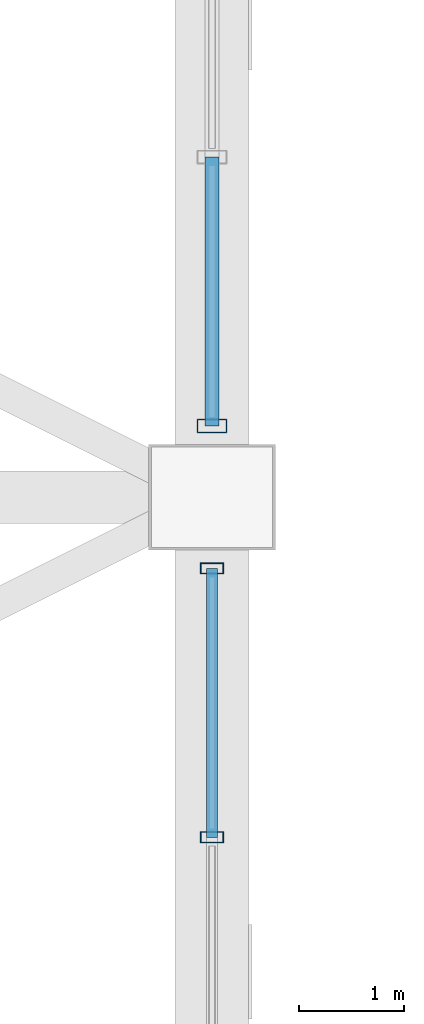
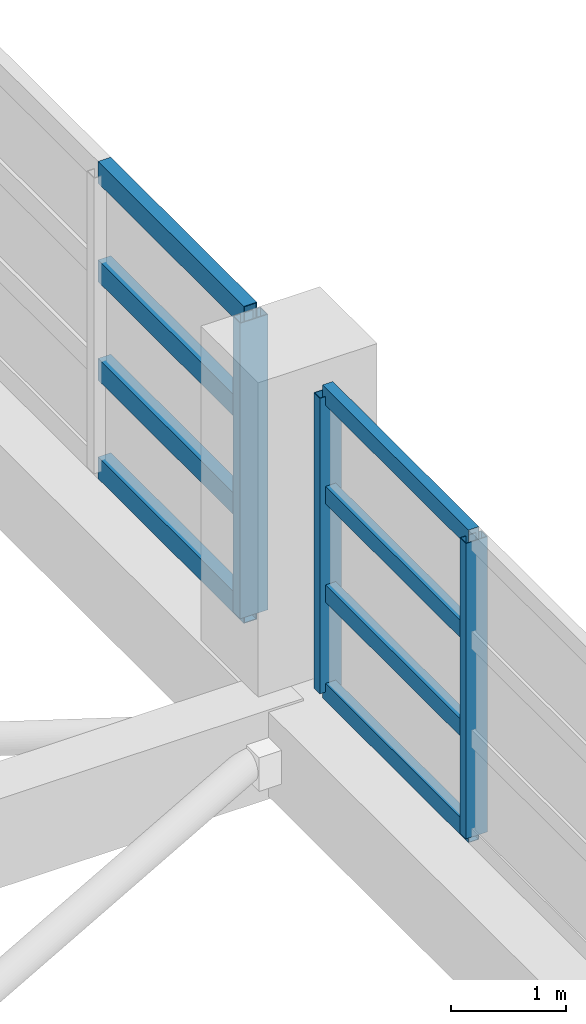
# One storey, part 50 of 116: 11 members, 2 elements without a shape of their own.
"""IFC4 building model written with IfcOpenShell, lengths in metres."""

from ifc_helpers import new_model, si_unit, direction, frame, origin, origin_2d, place, context, subcontext, project, spatial, hollow_rectangle, extrude, material, material_profile, profile_set, type_object, element, aggregate, save


model = new_model("IFC4")

# Units and contexts
model_context = context("Model", 3, precision=1e-05, world=origin(), true_north=direction((0.0, 1.0)))
body_context = subcontext(model_context, "Body", "Model", "MODEL_VIEW")
ifc_project = project(units=[si_unit("LENGTHUNIT", "METRE"), si_unit("AREAUNIT", "SQUARE_METRE"), si_unit("VOLUMEUNIT", "CUBIC_METRE"), si_unit("PLANEANGLEUNIT", "RADIAN"), si_unit("MASSUNIT", "GRAM", prefix="KILO")], contexts=[model_context])

# Site, building, storey
site_placement = place(None, origin())
site = spatial("IfcSite", under=ifc_project, at=site_placement, CompositionType="ELEMENT")
building_placement = place(site_placement, origin())
building = spatial("IfcBuilding", under=site, at=building_placement, Name="Chuanluo Vaults Station", CompositionType="ELEMENT")
storey_placement = place(building_placement, frame((0.0, 0.0, 10.800048828125)))
storey = spatial("IfcBuildingStorey", under=building, at=storey_placement, Name="L02", CompositionType="ELEMENT", Elevation=10.800048828125)

# Curtain wall, members
ifc_material_1 = material(Name="Anodised aluminium 6063-T6", Category="aluminium")
curtain_wall_type_1 = type_object("IfcCurtainWallType", Name="CW-SYS-16", PredefinedType="NOTDEFINED", material=ifc_material_1)
curtain_wall_1_placement = place(storey_placement, origin())
curtain_wall_1 = element("IfcCurtainWall", 1, at=curtain_wall_1_placement, inside=storey, type_object=curtain_wall_type_1, Name="Train shed east clerestory CW 76", PredefinedType="NOTDEFINED")
ifc_material_2 = material(Name="Anodised aluminium 6063-T6", Category="aluminium")
ifc_material_profile_1 = material_profile(ifc_material_2, hollow_rectangle(XDim=0.10498046875, YDim=0.219970703125, WallThickness=0.006103515625, at=origin_2d()))
ifc_profile_set_1 = profile_set([ifc_material_profile_1], Name="Anodised aluminium 6063-T6")
member_type_1 = type_object("IfcMemberType", Name="CWM-140", PredefinedType="MULLION", material=ifc_profile_set_1)
member_1_placement = place(storey_placement, frame((126.0, 84.824951171875, 0.0), z_axis=(0.0, 0.0, 1.0), x_axis=(0.0, -1.0, 0.0)))
member_1 = element("IfcMember", 2, at=member_1_placement, type_object=member_type_1, Name="Train shed east clerestory CW 76 mullion 1", PredefinedType="MULLION", context=body_context, shape_type="SweptSolid", body=[
    extrude(hollow_rectangle(XDim=0.10498046875, YDim=0.219970703125, WallThickness=0.006103515625, at=origin_2d()), origin(), (0.0, 0.0, 1.0), 3.14990234375),
])
member_2_placement = place(storey_placement, frame((126.0, 82.27490234375, 0.0), z_axis=(0.0, 0.0, 1.0), x_axis=(0.0, -1.0, 0.0)))
member_2 = element("IfcMember", 3, at=member_2_placement, type_object=member_type_1, Name="Train shed east clerestory CW 76 mullion 2", PredefinedType="MULLION", context=body_context, shape_type="SweptSolid", body=[
    extrude(hollow_rectangle(XDim=0.10498046875, YDim=0.219970703125, WallThickness=0.006103515625, at=origin_2d()), origin(), (0.0, 0.0, 1.0), 3.14990234375),
])

# Curtain wall, member
ifc_material_3 = material(Name="Anodised aluminium 6063-T6", Category="aluminium")
curtain_wall_type_2 = type_object("IfcCurtainWallType", Name="CW-SYS-18", PredefinedType="NOTDEFINED", material=ifc_material_3)
curtain_wall_2_placement = place(storey_placement, origin())
curtain_wall_2 = element("IfcCurtainWall", 4, at=curtain_wall_2_placement, inside=storey, type_object=curtain_wall_type_2, Name="Train shed east clerestory CW 85", PredefinedType="NOTDEFINED")
ifc_material_4 = material(Name="Anodised aluminium 6063-T6", Category="aluminium")
ifc_material_profile_2 = material_profile(ifc_material_4, hollow_rectangle(XDim=0.1298828125, YDim=0.280029296875, WallThickness=0.007080078125, at=origin_2d()))
ifc_profile_set_2 = profile_set([ifc_material_profile_2], Name="Anodised aluminium 6063-T6")
member_type_2 = type_object("IfcMemberType", Name="CWM-180", PredefinedType="MULLION", material=ifc_profile_set_2)
member_3_placement = place(storey_placement, frame((126.0, 86.175048828125, 0.0), z_axis=(0.0, 0.0, 1.0), x_axis=(0.0, -1.0, 0.0)))
member_3 = element("IfcMember", 5, at=member_3_placement, type_object=member_type_2, Name="Train shed east clerestory CW 85 mullion 4", PredefinedType="MULLION", context=body_context, shape_type="SweptSolid", body=[
    extrude(hollow_rectangle(XDim=0.1298828125, YDim=0.280029296875, WallThickness=0.007080078125, at=origin_2d()), origin(), (0.0, 0.0, 1.0), 3.14990234375),
])

# Member
ifc_material_5 = material(Name="Anodised aluminium 6063-T6", Category="aluminium")
ifc_material_profile_3 = material_profile(ifc_material_5, hollow_rectangle(XDim=0.10498046875, YDim=0.18505859375, WallThickness=0.0048828125, at=origin_2d()))
ifc_profile_set_3 = profile_set([ifc_material_profile_3], Name="Anodised aluminium 6063-T6")
member_type_3 = type_object("IfcMemberType", Name="CWT-110", PredefinedType="USERDEFINED", material=ifc_profile_set_3)
member_4_placement = place(storey_placement, frame((126.0, 84.824951171875, 0.0), z_axis=(0.0, -1.0, 0.0), x_axis=(1.0, 0.0, 0.0)))
member_4 = element("IfcMember", 6, at=member_4_placement, type_object=member_type_3, Name="Train shed east clerestory CW 76 transom 1.1", ObjectType="TRANSOM", PredefinedType="USERDEFINED", context=body_context, shape_type="SweptSolid", body=[
    extrude(hollow_rectangle(XDim=0.10498046875, YDim=0.18505859375, WallThickness=0.0048828125, at=origin_2d()), origin(), (0.0, 0.0, 1.0), 2.550048828125),
])

member_5_placement = place(storey_placement, frame((126.0, 84.824951171875, 1.050048828125), z_axis=(0.0, -1.0, 0.0), x_axis=(1.0, 0.0, 0.0)))
member_5 = element("IfcMember", 7, at=member_5_placement, type_object=member_type_3, Name="Train shed east clerestory CW 76 transom 1.2", ObjectType="TRANSOM", PredefinedType="USERDEFINED", context=body_context, shape_type="SweptSolid", body=[
    extrude(hollow_rectangle(XDim=0.10498046875, YDim=0.18505859375, WallThickness=0.0048828125, at=origin_2d()), origin(), (0.0, 0.0, 1.0), 2.550048828125),
])

member_6_placement = place(storey_placement, frame((126.0, 84.824951171875, 2.099853515625), z_axis=(0.0, -1.0, 0.0), x_axis=(1.0, 0.0, 0.0)))
member_6 = element("IfcMember", 8, at=member_6_placement, type_object=member_type_3, Name="Train shed east clerestory CW 76 transom 1.3", ObjectType="TRANSOM", PredefinedType="USERDEFINED", context=body_context, shape_type="SweptSolid", body=[
    extrude(hollow_rectangle(XDim=0.10498046875, YDim=0.18505859375, WallThickness=0.0048828125, at=origin_2d()), origin(), (0.0, 0.0, 1.0), 2.550048828125),
])

member_7_placement = place(storey_placement, frame((126.0, 84.824951171875, 3.14990234375), z_axis=(0.0, -1.0, 0.0), x_axis=(1.0, 0.0, 0.0)))
member_7 = element("IfcMember", 9, at=member_7_placement, type_object=member_type_3, Name="Train shed east clerestory CW 76 transom 1.4", ObjectType="TRANSOM", PredefinedType="USERDEFINED", context=body_context, shape_type="SweptSolid", body=[
    extrude(hollow_rectangle(XDim=0.10498046875, YDim=0.18505859375, WallThickness=0.0048828125, at=origin_2d()), origin(), (0.0, 0.0, 1.0), 2.550048828125),
])

aggregate(curtain_wall_1, [member_1, member_2, member_4, member_5, member_6, member_7])

ifc_material_6 = material(Name="Anodised aluminium 6063-T6", Category="aluminium")
ifc_material_profile_4 = material_profile(ifc_material_6, hollow_rectangle(XDim=0.1298828125, YDim=0.22998046875, WallThickness=0.006103515625, at=origin_2d()))
ifc_profile_set_4 = profile_set([ifc_material_profile_4], Name="Anodised aluminium 6063-T6")
member_type_4 = type_object("IfcMemberType", Name="CWT-150", PredefinedType="USERDEFINED", material=ifc_profile_set_4)
member_8_placement = place(storey_placement, frame((126.0, 88.72509765625, 0.0), z_axis=(0.0, -1.0, 0.0), x_axis=(1.0, 0.0, 0.0)))
member_8 = element("IfcMember", 10, at=member_8_placement, type_object=member_type_4, Name="Train shed east clerestory CW 85 transom 3.1", ObjectType="TRANSOM", PredefinedType="USERDEFINED", context=body_context, shape_type="SweptSolid", body=[
    extrude(hollow_rectangle(XDim=0.1298828125, YDim=0.22998046875, WallThickness=0.006103515625, at=origin_2d()), origin(), (0.0, 0.0, 1.0), 2.550048828125),
])

member_9_placement = place(storey_placement, frame((126.0, 88.72509765625, 1.050048828125), z_axis=(0.0, -1.0, 0.0), x_axis=(1.0, 0.0, 0.0)))
member_9 = element("IfcMember", 11, at=member_9_placement, type_object=member_type_4, Name="Train shed east clerestory CW 85 transom 3.2", ObjectType="TRANSOM", PredefinedType="USERDEFINED", context=body_context, shape_type="SweptSolid", body=[
    extrude(hollow_rectangle(XDim=0.1298828125, YDim=0.22998046875, WallThickness=0.006103515625, at=origin_2d()), origin(), (0.0, 0.0, 1.0), 2.550048828125),
])

member_10_placement = place(storey_placement, frame((126.0, 88.72509765625, 2.099853515625), z_axis=(0.0, -1.0, 0.0), x_axis=(1.0, 0.0, 0.0)))
member_10 = element("IfcMember", 12, at=member_10_placement, type_object=member_type_4, Name="Train shed east clerestory CW 85 transom 3.3", ObjectType="TRANSOM", PredefinedType="USERDEFINED", context=body_context, shape_type="SweptSolid", body=[
    extrude(hollow_rectangle(XDim=0.1298828125, YDim=0.22998046875, WallThickness=0.006103515625, at=origin_2d()), origin(), (0.0, 0.0, 1.0), 2.550048828125),
])

member_11_placement = place(storey_placement, frame((126.0, 88.72509765625, 3.14990234375), z_axis=(0.0, -1.0, 0.0), x_axis=(1.0, 0.0, 0.0)))
member_11 = element("IfcMember", 13, at=member_11_placement, type_object=member_type_4, Name="Train shed east clerestory CW 85 transom 3.4", ObjectType="TRANSOM", PredefinedType="USERDEFINED", context=body_context, shape_type="SweptSolid", body=[
    extrude(hollow_rectangle(XDim=0.1298828125, YDim=0.22998046875, WallThickness=0.006103515625, at=origin_2d()), origin(), (0.0, 0.0, 1.0), 2.550048828125),
])

aggregate(curtain_wall_2, [member_3, member_8, member_9, member_10, member_11])

save(model, "model.ifc")
